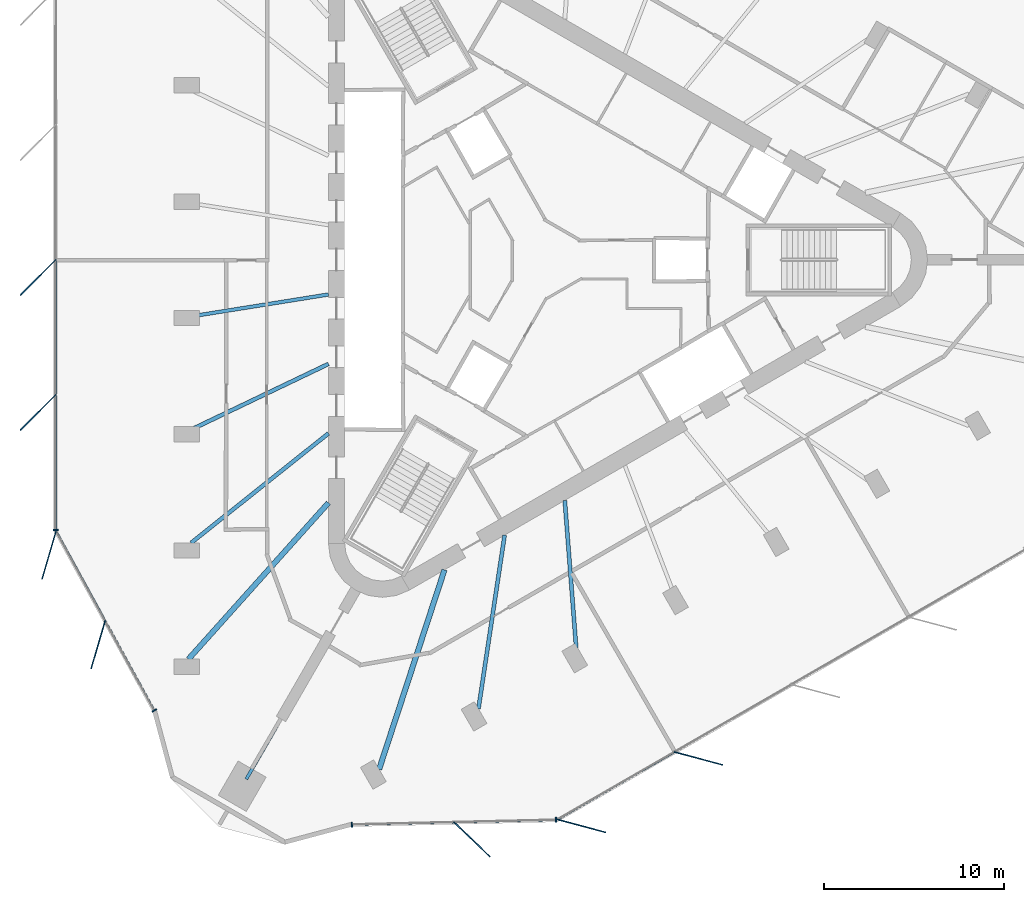
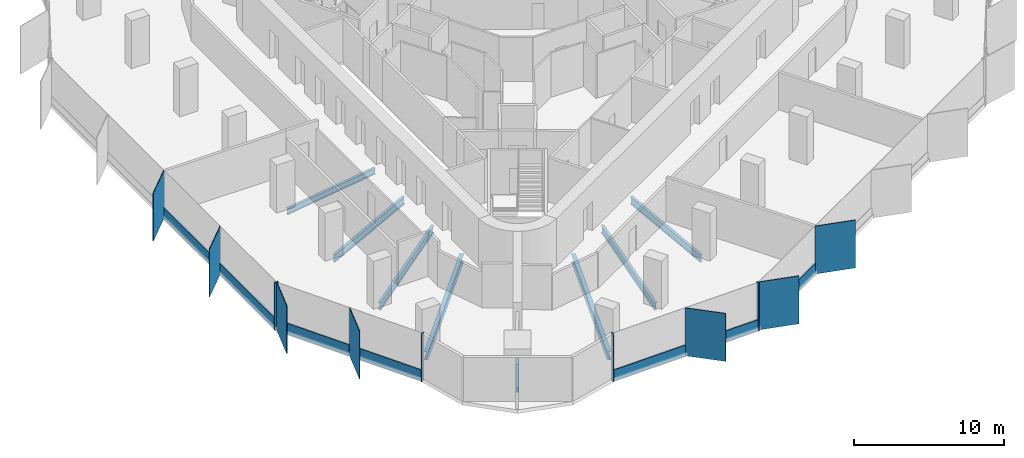
# One storey, part 2 of 12: 18 members, 8 beams, 4 elements without a shape of their own.
"""IFC4 building model written with IfcOpenShell, lengths in metres."""

from ifc_helpers import new_model, si_unit, direction, frame, origin, origin_2d, place, context, subcontext, project, spatial, rectangle, i_section, extrude, material, material_profile, profile_set, type_object, element, aggregate, save


model = new_model("IFC4")

# Units and contexts
model_context = context("Model", 3, precision=1e-05, world=origin(), true_north=direction((0.0, 1.0)))
body_context = subcontext(model_context, "Body", "Model", "MODEL_VIEW")
ifc_project = project(units=[si_unit("LENGTHUNIT", "METRE"), si_unit("AREAUNIT", "SQUARE_METRE"), si_unit("VOLUMEUNIT", "CUBIC_METRE"), si_unit("PLANEANGLEUNIT", "RADIAN"), si_unit("MASSUNIT", "GRAM", prefix="KILO")], contexts=[model_context])

# Site, building, storey
site_placement = place(None, origin())
site = spatial("IfcSite", under=ifc_project, at=site_placement, CompositionType="ELEMENT")
building_placement = place(site_placement, origin())
building = spatial("IfcBuilding", under=site, at=building_placement, Name="Tanit Gate Tower", CompositionType="ELEMENT")
storey_placement = place(building_placement, frame((0.0, 0.0, 333.800048828125)))
storey = spatial("IfcBuildingStorey", under=building, at=storey_placement, Name="L75", CompositionType="ELEMENT", Elevation=333.800048828125)

# Curtain wall, members
ifc_material_1 = material(Name="Aluminium bronze anodised and glass", Category="aluminium")
curtain_wall_type = type_object("IfcCurtainWallType", Name="Curtain wall typical high", PredefinedType="NOTDEFINED", material=ifc_material_1)
curtain_wall_1_placement = place(storey_placement, origin())
curtain_wall_1 = element("IfcCurtainWall", 1, at=curtain_wall_1_placement, inside=storey, type_object=curtain_wall_type, Name="Curtain wall L75 W2", PredefinedType="NOTDEFINED")
ifc_material_2 = material(Name="Aluminium bronze anodised", Category="aluminium")
ifc_material_profile_1 = material_profile(ifc_material_2, rectangle(XDim=2.800048828125, YDim=0.055908203125, at=origin_2d()), Name="56x2800 bronze fin mullion")
ifc_profile_set_1 = profile_set([ifc_material_profile_1], Name="Aluminium bronze anodised")
member_type_1 = type_object("IfcMemberType", Name="FIN MULLION 56x2800 bronze", PredefinedType="MULLION", material=ifc_profile_set_1)
member_1_placement = place(storey_placement, frame((-28.233642578125, -0.975830078125, -0.300048828125), z_axis=(0.0, 0.0, 1.0), x_axis=(0.707155809403, 0.707057749571, 0.0)))
member_1 = element("IfcMember", 2, at=member_1_placement, type_object=member_type_1, Name="Fin mullion L75 W2.3", PredefinedType="MULLION", context=body_context, shape_type="SweptSolid", body=[
    extrude(rectangle(XDim=2.800048828125, YDim=0.055908203125, at=origin_2d()), origin(), (0.0, 0.0, 1.0), 3.89990234375),
])
member_2_placement = place(storey_placement, frame((-28.234130859375, -8.47998046875, -0.300048828125), z_axis=(0.0, 0.0, 1.0), x_axis=(0.707155809403, 0.707057749571, 0.0)))
member_2 = element("IfcMember", 3, at=member_2_placement, type_object=member_type_1, Name="Fin mullion L75 W2.4", PredefinedType="MULLION", context=body_context, shape_type="SweptSolid", body=[
    extrude(rectangle(XDim=2.800048828125, YDim=0.055908203125, at=origin_2d()), origin(), (0.0, 0.0, 1.0), 3.89990234375),
])

curtain_wall_2_placement = place(storey_placement, origin())
curtain_wall_2 = element("IfcCurtainWall", 4, at=curtain_wall_2_placement, inside=storey, type_object=curtain_wall_type, Name="Curtain wall L75 W3", PredefinedType="NOTDEFINED")
member_3_placement = place(storey_placement, frame((-27.627197265625, -16.40771484375, -0.300048828125), z_axis=(0.0, 0.0, 1.0), x_axis=(0.280851527319, 0.959751227977, 0.0)))
member_3 = element("IfcMember", 5, at=member_3_placement, type_object=member_type_1, Name="Fin mullion L75 W3.1", PredefinedType="MULLION", context=body_context, shape_type="SweptSolid", body=[
    extrude(rectangle(XDim=2.800048828125, YDim=0.055908203125, at=origin_2d()), origin(), (0.0, 0.0, 1.0), 3.89990234375),
])
member_4_placement = place(storey_placement, frame((-24.899658203125, -21.391845703125, -0.300048828125), z_axis=(0.0, 0.0, 1.0), x_axis=(0.280851527319, 0.959751227977, 0.0)))
member_4 = element("IfcMember", 6, at=member_4_placement, type_object=member_type_1, Name="Fin mullion L75 W3.2", PredefinedType="MULLION", context=body_context, shape_type="SweptSolid", body=[
    extrude(rectangle(XDim=2.800048828125, YDim=0.055908203125, at=origin_2d()), origin(), (0.0, 0.0, 1.0), 3.89990234375),
])

# Curtain wall, member
curtain_wall_3_placement = place(storey_placement, origin())
curtain_wall_3 = element("IfcCurtainWall", 7, at=curtain_wall_3_placement, inside=storey, type_object=curtain_wall_type, Name="Curtain wall L75 SE1", PredefinedType="NOTDEFINED")
member_5_placement = place(storey_placement, frame((-4.125, -32.2138671875, -0.300048828125), z_axis=(0.0, 0.0, 1.0), x_axis=(-0.723210744855, 0.690627409336, 0.0)))
member_5 = element("IfcMember", 8, at=member_5_placement, type_object=member_type_1, Name="Fin mullion L75 SE1.2", PredefinedType="MULLION", context=body_context, shape_type="SweptSolid", body=[
    extrude(rectangle(XDim=2.800048828125, YDim=0.055908203125, at=origin_2d()), origin(), (0.0, 0.0, 1.0), 3.89990234375),
])

# Curtain wall, members
curtain_wall_4_placement = place(storey_placement, origin())
curtain_wall_4 = element("IfcCurtainWall", 9, at=curtain_wall_4_placement, inside=storey, type_object=curtain_wall_type, Name="Curtain wall L75 SE2", PredefinedType="NOTDEFINED")
member_6_placement = place(storey_placement, frame((1.964111328125, -31.46630859375, -0.300048828125), z_axis=(0.0, 0.0, 1.0), x_axis=(-0.965907877772, 0.258886020591, 0.0)))
member_6 = element("IfcMember", 10, at=member_6_placement, type_object=member_type_1, Name="Fin mullion L75 SE2.1", PredefinedType="MULLION", context=body_context, shape_type="SweptSolid", body=[
    extrude(rectangle(XDim=2.800048828125, YDim=0.055908203125, at=origin_2d()), origin(), (0.0, 0.0, 1.0), 3.89990234375),
])
member_7_placement = place(storey_placement, frame((8.463134765625, -27.71484375, -0.300048828125), z_axis=(0.0, 0.0, 1.0), x_axis=(-0.965907877772, 0.258886020591, 0.0)))
member_7 = element("IfcMember", 11, at=member_7_placement, type_object=member_type_1, Name="Fin mullion L75 SE2.2", PredefinedType="MULLION", context=body_context, shape_type="SweptSolid", body=[
    extrude(rectangle(XDim=2.800048828125, YDim=0.055908203125, at=origin_2d()), origin(), (0.0, 0.0, 1.0), 3.89990234375),
])

# Member
ifc_material_3 = material(Name="Aluminium bronze anodised", Category="aluminium")
ifc_material_profile_2 = material_profile(ifc_material_3, rectangle(XDim=0.280029296875, YDim=0.080078125, at=origin_2d()), Name="80x280 bronze mullion")
ifc_profile_set_2 = profile_set([ifc_material_profile_2], Name="Aluminium bronze anodised")
member_type_2 = type_object("IfcMemberType", Name="Mullion 80x280 typical high", PredefinedType="MULLION", material=ifc_profile_set_2)
member_8_placement = place(storey_placement, frame((-27.2587890625, -15.008056640625, -0.300048828125), z_axis=(0.0, 0.0, 1.0), x_axis=(0.999999997596, -6.9338772e-05, 0.0)))
member_8 = element("IfcMember", 12, at=member_8_placement, type_object=member_type_2, Name="Mullion L75 W2.5", PredefinedType="MULLION", context=body_context, shape_type="SweptSolid", body=[
    extrude(rectangle(XDim=0.280029296875, YDim=0.080078125, at=origin_2d()), origin(), (0.0, 0.0, 1.0), 3.89990234375),
])

member_9_placement = place(storey_placement, frame((-21.78466796875, -25.051025390625, -0.300048828125), z_axis=(0.0, 0.0, 1.0), x_axis=(0.877238621028, 0.48005458208, 0.0)))
member_9 = element("IfcMember", 13, at=member_9_placement, type_object=member_type_2, Name="Mullion L75 W3.3", PredefinedType="MULLION", context=body_context, shape_type="SweptSolid", body=[
    extrude(rectangle(XDim=0.280029296875, YDim=0.080078125, at=origin_2d()), origin(), (0.0, 0.0, 1.0), 3.89990234375),
])

member_10_placement = place(storey_placement, frame((-10.802490234375, -31.3916015625, -0.300048828125), z_axis=(0.0, 0.0, 1.0), x_axis=(-0.023039897499, 0.999734546329, 0.0)))
member_10 = element("IfcMember", 14, at=member_10_placement, type_object=member_type_2, Name="Mullion L75 SE1.1", PredefinedType="MULLION", context=body_context, shape_type="SweptSolid", body=[
    extrude(rectangle(XDim=0.280029296875, YDim=0.080078125, at=origin_2d()), origin(), (0.0, 0.0, 1.0), 3.89990234375),
])

member_11_placement = place(storey_placement, frame((0.556396484375, -31.1298828125, -0.300048828125), z_axis=(0.0, 0.0, 1.0), x_axis=(-0.023039897499, 0.999734546329, 0.0)))
member_11 = element("IfcMember", 15, at=member_11_placement, type_object=member_type_2, Name="Mullion L75 SE1.3", PredefinedType="MULLION", context=body_context, shape_type="SweptSolid", body=[
    extrude(rectangle(XDim=0.280029296875, YDim=0.080078125, at=origin_2d()), origin(), (0.0, 0.0, 1.0), 3.89990234375),
])

# Beams
ifc_material_4 = material(Name="Steel S355", Category="steel")
ifc_material_profile_3 = material_profile(ifc_material_4, i_section(OverallWidth=0.300048828125, OverallDepth=0.68994140625, WebThickness=0.014404296875, FlangeThickness=0.027099609375, FilletRadius=0.027099609375, at=origin_2d()), Name="HEA 700")
ifc_profile_set_3 = profile_set([ifc_material_profile_3], Name="Steel S355")
beam_type_1 = type_object("IfcBeamType", Name="RADIAL GIRDER HEA 700 S355", PredefinedType="BEAM", material=ifc_profile_set_3)
beam_1_placement = place(storey_placement, frame((-19.8828125, -22.198486328125, -0.64501953125), z_axis=(0.667183957843, 0.744892989896, 0.0), x_axis=(-0.744892989896, 0.667183957843, 0.0)))
element("IfcBeam", 16, at=beam_1_placement, inside=storey, type_object=beam_type_1, Name="RADIAL GIRDER", PredefinedType="BEAM", context=body_context, shape_type="SweptSolid", body=[
    extrude(i_section(OverallWidth=0.300048828125, OverallDepth=0.68994140625, WebThickness=0.014404296875, FlangeThickness=0.027099609375, FilletRadius=0.027099609375, at=origin_2d()), origin(), (0.0, 0.0, 1.0), 11.662109375),
])
beam_2_placement = place(storey_placement, frame((-9.283203125, -28.318359375, -0.64501953125), z_axis=(0.311519991774, 0.950239598588, 0.0), x_axis=(-0.950239598588, 0.311519991774, 0.0)))
element("IfcBeam", 17, at=beam_2_placement, inside=storey, type_object=beam_type_1, Name="RADIAL GIRDER", PredefinedType="BEAM", context=body_context, shape_type="SweptSolid", body=[
    extrude(i_section(OverallWidth=0.300048828125, OverallDepth=0.68994140625, WebThickness=0.014404296875, FlangeThickness=0.027099609375, FilletRadius=0.027099609375, at=origin_2d()), origin(), (0.0, 0.0, 1.0), 11.662353515625),
])
ifc_material_5 = material(Name="Steel S355", Category="steel")
ifc_material_profile_4 = material_profile(ifc_material_5, i_section(OverallWidth=0.179931640625, OverallDepth=0.39990234375, WebThickness=0.008544921875, FlangeThickness=0.013427734375, FilletRadius=0.02099609375, at=origin_2d()), Name="IPE 400")
ifc_profile_set_4 = profile_set([ifc_material_profile_4], Name="Steel S355")
beam_type_2 = type_object("IfcBeamType", Name="RADIAL GIRDER IPE 400 S355", PredefinedType="BEAM", material=ifc_profile_set_4)
beam_3_placement = place(storey_placement, frame((-16.66748046875, -28.868896484375, -0.5), z_axis=(0.500041741429, 0.866001303018, 0.0), x_axis=(-0.866001303018, 0.500041741429, 0.0)))
element("IfcBeam", 18, at=beam_3_placement, inside=storey, type_object=beam_type_2, Name="RADIAL GIRDER", PredefinedType="BEAM", context=body_context, shape_type="SweptSolid", body=[
    extrude(i_section(OverallWidth=0.179931640625, OverallDepth=0.39990234375, WebThickness=0.008544921875, FlangeThickness=0.013427734375, FilletRadius=0.02099609375, at=origin_2d()), origin(), (0.0, 0.0, 1.0), 3.397705078125),
])
ifc_material_6 = material(Name="Steel S355", Category="steel")
ifc_material_profile_5 = material_profile(ifc_material_6, i_section(OverallWidth=0.199951171875, OverallDepth=0.5, WebThickness=0.01025390625, FlangeThickness=0.01611328125, FilletRadius=0.02099609375, at=origin_2d()), Name="IPE 500")
ifc_profile_set_5 = profile_set([ifc_material_profile_5], Name="Steel S355")
beam_type_3 = type_object("IfcBeamType", Name="RADIAL GIRDER IPE 500 S355", PredefinedType="BEAM", material=ifc_profile_set_5)
beam_4_placement = place(storey_placement, frame((-19.563720703125, -3.120361328125, -0.550048828125), z_axis=(0.987516531299, 0.157515397379, 0.0), x_axis=(-0.157515397379, 0.987516531299, 0.0)))
element("IfcBeam", 19, at=beam_4_placement, inside=storey, type_object=beam_type_3, Name="RADIAL GIRDER", PredefinedType="BEAM", context=body_context, shape_type="SweptSolid", body=[
    extrude(i_section(OverallWidth=0.199951171875, OverallDepth=0.5, WebThickness=0.01025390625, FlangeThickness=0.01611328125, FilletRadius=0.02099609375, at=origin_2d()), origin(), (0.0, 0.0, 1.0), 7.555908203125),
])
ifc_material_7 = material(Name="Steel S355", Category="steel")
ifc_material_profile_6 = material_profile(ifc_material_7, i_section(OverallWidth=0.219970703125, OverallDepth=0.60009765625, WebThickness=0.011962890625, FlangeThickness=0.01904296875, FilletRadius=0.02392578125, at=origin_2d()), Name="IPE 600")
ifc_profile_set_6 = profile_set([ifc_material_profile_6], Name="Steel S355")
beam_type_4 = type_object("IfcBeamType", Name="RADIAL GIRDER IPE 600 S355", PredefinedType="BEAM", material=ifc_profile_set_6)
beam_5_placement = place(storey_placement, frame((-19.563720703125, -9.36083984375, -0.60009765625), z_axis=(0.902054789369, 0.431621543688, 0.0), x_axis=(-0.431621543688, 0.902054789369, 0.0)))
element("IfcBeam", 20, at=beam_5_placement, inside=storey, type_object=beam_type_4, Name="RADIAL GIRDER", PredefinedType="BEAM", context=body_context, shape_type="SweptSolid", body=[
    extrude(i_section(OverallWidth=0.219970703125, OverallDepth=0.60009765625, WebThickness=0.011962890625, FlangeThickness=0.01904296875, FilletRadius=0.02392578125, at=origin_2d()), origin(), (0.0, 0.0, 1.0), 8.27197265625),
])
beam_6_placement = place(storey_placement, frame((-19.730712890625, -15.734619140625, -0.60009765625), z_axis=(0.781827225561, 0.623495139814, 0.0), x_axis=(-0.623495139814, 0.781827225561, 0.0)))
element("IfcBeam", 21, at=beam_6_placement, inside=storey, type_object=beam_type_4, Name="RADIAL GIRDER", PredefinedType="BEAM", context=body_context, shape_type="SweptSolid", body=[
    extrude(i_section(OverallWidth=0.219970703125, OverallDepth=0.60009765625, WebThickness=0.011962890625, FlangeThickness=0.01904296875, FilletRadius=0.02392578125, at=origin_2d()), origin(), (0.0, 0.0, 1.0), 9.757568359375),
])
beam_7_placement = place(storey_placement, frame((-3.76123046875, -24.95458984375, -0.60009765625), z_axis=(0.1490500566, 0.988829651976, 0.0), x_axis=(-0.988829651976, 0.1490500566, 0.0)))
element("IfcBeam", 22, at=beam_7_placement, inside=storey, type_object=beam_type_4, Name="RADIAL GIRDER", PredefinedType="BEAM", context=body_context, shape_type="SweptSolid", body=[
    extrude(i_section(OverallWidth=0.219970703125, OverallDepth=0.60009765625, WebThickness=0.011962890625, FlangeThickness=0.01904296875, FilletRadius=0.02392578125, at=origin_2d()), origin(), (0.0, 0.0, 1.0), 9.75732421875),
])
beam_8_placement = place(storey_placement, frame((1.675048828125, -21.623046875, -0.60009765625), z_axis=(-0.077240429266, 0.997012495452, 0.0), x_axis=(-0.997012495452, -0.077240429266, 0.0)))
element("IfcBeam", 23, at=beam_8_placement, inside=storey, type_object=beam_type_4, Name="RADIAL GIRDER", PredefinedType="BEAM", context=body_context, shape_type="SweptSolid", body=[
    extrude(i_section(OverallWidth=0.219970703125, OverallDepth=0.60009765625, WebThickness=0.011962890625, FlangeThickness=0.01904296875, FilletRadius=0.02392578125, at=origin_2d()), origin(), (0.0, 0.0, 1.0), 8.271728515625),
])

# Member
ifc_material_8 = material(Name="Aluminium bronze anodised", Category="aluminium")
ifc_material_profile_7 = material_profile(ifc_material_8, rectangle(XDim=0.1201171875, YDim=0.89990234375, at=origin_2d()), Name="120x900 bronze transom")
ifc_profile_set_7 = profile_set([ifc_material_profile_7], Name="Aluminium bronze anodised")
member_type_3 = type_object("IfcMemberType", Name="Transom 120x900 typical high", PredefinedType="USERDEFINED", material=ifc_profile_set_7)
member_12_placement = place(storey_placement, frame((-27.2578125, -0.0400390625, 0.14990234375), z_axis=(-6.5770002e-05, -0.999999997837, 0.0), x_axis=(0.999999997837, -6.5770002e-05, 0.0)))
member_12 = element("IfcMember", 24, at=member_12_placement, type_object=member_type_3, Name="Transom L75 W2.3", ObjectType="TRANSOM", PredefinedType="USERDEFINED", context=body_context, shape_type="SweptSolid", body=[
    extrude(rectangle(XDim=0.1201171875, YDim=0.89990234375, at=origin_2d()), origin(), (0.0, 0.0, 1.0), 7.424072265625),
])

member_13_placement = place(storey_placement, frame((-27.25830078125, -7.5439453125, 0.14990234375), z_axis=(-6.5770002e-05, -0.999999997837, 0.0), x_axis=(0.999999997837, -6.5770002e-05, 0.0)))
member_13 = element("IfcMember", 25, at=member_13_placement, type_object=member_type_3, Name="Transom L75 W2.4", ObjectType="TRANSOM", PredefinedType="USERDEFINED", context=body_context, shape_type="SweptSolid", body=[
    extrude(rectangle(XDim=0.1201171875, YDim=0.89990234375, at=origin_2d()), origin(), (0.0, 0.0, 1.0), 7.424072265625),
])

aggregate(curtain_wall_1, [member_1, member_2, member_8, member_12, member_13])

member_14_placement = place(storey_placement, frame((-27.220458984375, -15.1181640625, 0.14990234375), z_axis=(0.480082295211, -0.877223454899, 0.0), x_axis=(0.877223454899, 0.480082295211, 0.0)))
member_14 = element("IfcMember", 26, at=member_14_placement, type_object=member_type_3, Name="Transom L75 W3.1", ObjectType="TRANSOM", PredefinedType="USERDEFINED", context=body_context, shape_type="SweptSolid", body=[
    extrude(rectangle(XDim=0.1201171875, YDim=0.89990234375, at=origin_2d()), origin(), (0.0, 0.0, 1.0), 5.6015625),
])

member_15_placement = place(storey_placement, frame((-24.492919921875, -20.102294921875, 0.14990234375), z_axis=(0.480067110236, -0.877231765082, 0.0), x_axis=(0.877231765082, 0.480067110236, 0.0)))
member_15 = element("IfcMember", 27, at=member_15_placement, type_object=member_type_3, Name="Transom L75 W3.2", ObjectType="TRANSOM", PredefinedType="USERDEFINED", context=body_context, shape_type="SweptSolid", body=[
    extrude(rectangle(XDim=0.1201171875, YDim=0.89990234375, at=origin_2d()), origin(), (0.0, 0.0, 1.0), 5.601318359375),
])

aggregate(curtain_wall_2, [member_3, member_4, member_9, member_14, member_15])

member_16_placement = place(storey_placement, frame((-10.762451171875, -31.390625, 0.14990234375), z_axis=(0.999735108653, 0.023015484516, 0.0), x_axis=(-0.023015484516, 0.999735108653, 0.0)))
member_16 = element("IfcMember", 28, at=member_16_placement, type_object=member_type_3, Name="Transom L75 SE1.1", ObjectType="TRANSOM", PredefinedType="USERDEFINED", context=body_context, shape_type="SweptSolid", body=[
    extrude(rectangle(XDim=0.1201171875, YDim=0.89990234375, at=origin_2d()), origin(), (0.0, 0.0, 1.0), 5.600830078125),
])

member_17_placement = place(storey_placement, frame((-5.0830078125, -31.259765625, 0.14990234375), z_axis=(0.999735108653, 0.023015484516, 0.0), x_axis=(-0.023015484516, 0.999735108653, 0.0)))
member_17 = element("IfcMember", 29, at=member_17_placement, type_object=member_type_3, Name="Transom L75 SE1.2", ObjectType="TRANSOM", PredefinedType="USERDEFINED", context=body_context, shape_type="SweptSolid", body=[
    extrude(rectangle(XDim=0.1201171875, YDim=0.89990234375, at=origin_2d()), origin(), (0.0, 0.0, 1.0), 5.600830078125),
])

aggregate(curtain_wall_3, [member_10, member_5, member_11, member_16, member_17])

member_18_placement = place(storey_placement, frame((0.665771484375, -31.0888671875, 0.14990234375), z_axis=(0.866061277435, 0.499937859866, 0.0), x_axis=(-0.499937859866, 0.866061277435, 0.0)))
member_18 = element("IfcMember", 30, at=member_18_placement, type_object=member_type_3, Name="Transom L75 SE2.1", ObjectType="TRANSOM", PredefinedType="USERDEFINED", context=body_context, shape_type="SweptSolid", body=[
    extrude(rectangle(XDim=0.1201171875, YDim=0.89990234375, at=origin_2d()), origin(), (0.0, 0.0, 1.0), 7.423828125),
])

aggregate(curtain_wall_4, [member_6, member_7, member_18])

save(model, "model.ifc")
